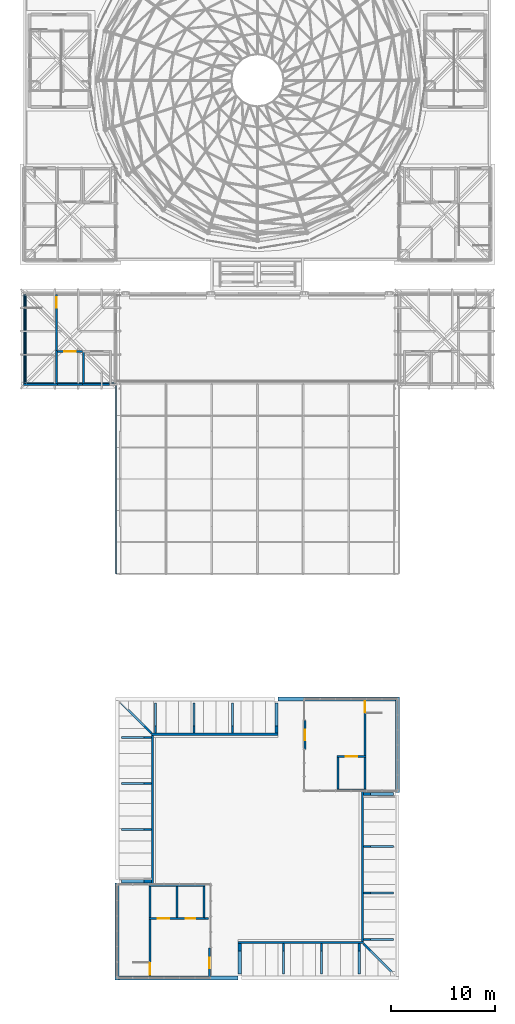
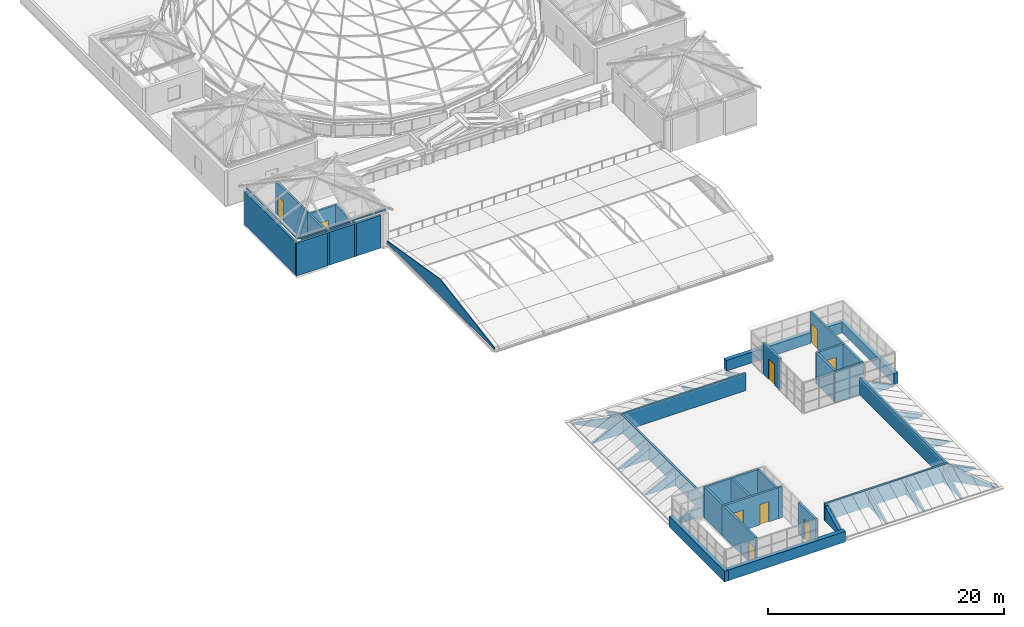
# One storey, part 47 of 69: 51 walls, 9 doors, 9 openings.
"""IFC4 building model written with IfcOpenShell, lengths in metres."""

from ifc_helpers import new_model, si_unit, direction, frame, frame_2d, origin, place, context, subcontext, project, spatial, polyline, rectangle, outline, extrude, material, layer, layer_set, type_object, element, fill, save


model = new_model("IFC4")

# Units and contexts
model_context = context("Model", 3, precision=1e-05, world=origin(), true_north=direction((0.0, 1.0)))
body_context = subcontext(model_context, "Body", "Model", "MODEL_VIEW")
ifc_project = project(units=[si_unit("LENGTHUNIT", "METRE"), si_unit("AREAUNIT", "SQUARE_METRE"), si_unit("VOLUMEUNIT", "CUBIC_METRE"), si_unit("PLANEANGLEUNIT", "RADIAN"), si_unit("MASSUNIT", "GRAM", prefix="KILO")], contexts=[model_context])

# Site, building, storey
site_placement = place(None, origin())
site = spatial("IfcSite", under=ifc_project, at=site_placement, CompositionType="ELEMENT")
building_placement = place(site_placement, origin())
building = spatial("IfcBuilding", under=site, at=building_placement, Name="Kallimachos Central Library", CompositionType="ELEMENT")
storey_placement = place(building_placement, frame((0.0, 0.0, 23.39990234375)))
storey = spatial("IfcBuildingStorey", under=building, at=storey_placement, Name="L05", CompositionType="ELEMENT", Elevation=23.39990234375)

# Walls
ifc_material_1 = material(Name="Concrete C30/37", Category="concrete")
ifc_layer_1 = layer(ifc_material_1, 0.14990234375)
ifc_layer_set_1 = layer_set([ifc_layer_1], Name="Concrete C30/37 eaves kerb 150")
wall_type_1 = type_object("IfcWallType", Name="Concrete C30/37 eaves kerb 150", PredefinedType="SOLIDWALL", material=ifc_layer_set_1)
for number, where, z_axis, x_axis, name in (
    (1, (65.699951171875, 75.199951171875, 3.650146484375), (0.0, 0.0, 1.0), (1.0, 0.0, 0.0), "Head-house roof V4-NW eaves kerb S"),
    (2, (65.699951171875, 75.199951171875, 3.650146484375), (0.0, 0.0, 1.0), (0.0, 1.0, 0.0), "Head-house roof V4-NW eaves kerb W"),
):
    element("IfcWall", number, at=place(storey_placement, frame(where, z_axis=z_axis, x_axis=x_axis)), inside=storey, type_object=wall_type_1, Name=name, PredefinedType="SOLIDWALL", context=body_context, shape_type="SweptSolid", body=[
        extrude(rectangle(XDim=8.60009765625, YDim=0.14990234375, at=frame_2d((4.300048828125, 0.0))), origin(), (0.0, 0.0, 1.0), 0.14990234375),
    ])

# Wall, opening, door
ifc_material_2 = material(Name="Concrete C30/37", Category="concrete")
ifc_layer_2 = layer(ifc_material_2, 0.199951171875)
ifc_layer_set_2 = layer_set([ifc_layer_2], Name="Core wall 200")
wall_type_2 = type_object("IfcWallType", Name="Core wall 200", PredefinedType="SOLIDWALL", material=ifc_layer_set_2)
wall_1_placement = place(storey_placement, frame((77.64990234375, 18.199951171875, 0.0), z_axis=(0.0, 0.0, 1.0), x_axis=(0.0, 1.0, 0.0)))
wall_1 = element("IfcWall", 3, at=wall_1_placement, inside=storey, type_object=wall_type_2, Name="V5-WAL-L05-038", PredefinedType="SOLIDWALL", context=body_context, shape_type="SweptSolid", body=[
    extrude(rectangle(XDim=5.60009765625, YDim=0.199951171875, at=frame_2d((2.800048828125, 0.0))), origin(), (0.0, 0.0, 1.0), 3.2001953125),
])
opening_1_placement = place(wall_1_placement, frame((0.10009765625, 0.0, 0.0)))
opening_1 = element("IfcOpeningElement", 4, at=opening_1_placement, cuts=wall_1, Name="Opening D144", PredefinedType="OPENING", context=body_context, shape_type="SweptSolid", body=[
    extrude(rectangle(XDim=1.10009765625, YDim=2.10009765625, at=frame_2d((0.550048828125, 1.050048828125))), frame((0.0, 0.10986328125, 0.0), z_axis=(0.0, -1.0, 0.0), x_axis=(1.0, 0.0, 0.0)), (0.0, 0.0, 1.0), 0.219970703125),
])
ifc_material_3 = material(Name="Steel fire door", Category="steel")
door_type_1 = type_object("IfcDoorType", Name="Fire door EI2 90 1100 x 2100", OperationType="NOTDEFINED", PredefinedType="DOOR", material=ifc_material_3)
door_1_placement = place(opening_1_placement, origin())
door_1 = element("IfcDoor", 5, at=door_1_placement, inside=storey, type_object=door_type_1, Name="ST13 stair door L05", OperationType="SINGLE_SWING_RIGHT", OverallHeight=2.10009765625, OverallWidth=1.10009765625, PredefinedType="DOOR", context=body_context, shape_type="SweptSolid", body=[
    extrude(rectangle(XDim=1.10009765625, YDim=2.10009765625, at=frame_2d((0.550048828125, 1.050048828125))), frame((0.0, 0.02490234375, 0.0), z_axis=(0.0, -1.0, 0.0), x_axis=(1.0, 0.0, 0.0)), (0.0, 0.0, 1.0), 0.050048828125),
])
fill(opening_1, door_1)

# Wall
wall_2_placement = place(storey_placement, frame((82.949951171875, 23.699951171875, 0.0), z_axis=(0.0, 0.0, 1.0), x_axis=(1.0, 0.0, 0.0)))
element("IfcWall", 6, at=wall_2_placement, inside=storey, type_object=wall_type_2, Name="V5-WAL-L05-039", PredefinedType="SOLIDWALL", context=body_context, shape_type="SweptSolid", body=[
    extrude(rectangle(XDim=0.35009765625, YDim=0.199951171875, at=frame_2d((0.175048828125, 0.0))), origin(), (0.0, 0.0, 1.0), 3.2001953125),
])

# Wall, opening, door
wall_3_placement = place(storey_placement, frame((98.35009765625, 39.199951171875, 0.0), z_axis=(0.0, 0.0, 1.0), x_axis=(0.0, 1.0, 0.0)))
wall_3 = element("IfcWall", 7, at=wall_3_placement, inside=storey, type_object=wall_type_2, Name="V5-WAL-L05-040", PredefinedType="SOLIDWALL", context=body_context, shape_type="SweptSolid", body=[
    extrude(rectangle(XDim=5.60009765625, YDim=0.199951171875, at=frame_2d((2.800048828125, 0.0))), origin(), (0.0, 0.0, 1.0), 3.2001953125),
])
opening_2_placement = place(wall_3_placement, frame((4.35009765625, 0.0, 0.0)))
opening_2 = element("IfcOpeningElement", 8, at=opening_2_placement, cuts=wall_3, Name="Opening D145", PredefinedType="OPENING", context=body_context, shape_type="SweptSolid", body=[
    extrude(rectangle(XDim=1.10009765625, YDim=2.10009765625, at=frame_2d((0.550048828125, 1.050048828125))), frame((0.0, 0.10986328125, 0.0), z_axis=(0.0, -1.0, 0.0), x_axis=(1.0, 0.0, 0.0)), (0.0, 0.0, 1.0), 0.219970703125),
])
door_2_placement = place(opening_2_placement, origin())
door_2 = element("IfcDoor", 9, at=door_2_placement, inside=storey, type_object=door_type_1, Name="ST14 stair door L05", OperationType="SINGLE_SWING_LEFT", OverallHeight=2.10009765625, OverallWidth=1.10009765625, PredefinedType="DOOR", context=body_context, shape_type="SweptSolid", body=[
    extrude(rectangle(XDim=1.10009765625, YDim=2.10009765625, at=frame_2d((0.550048828125, 1.050048828125))), frame((0.0, 0.02490234375, 0.0), z_axis=(0.0, -1.0, 0.0), x_axis=(1.0, 0.0, 0.0)), (0.0, 0.0, 1.0), 0.050048828125),
])
fill(opening_2, door_2)

# Wall
ifc_material_4 = material(Name="Laminated glass in aluminium frame", Category="aluminium")
ifc_layer_3 = layer(ifc_material_4, 0.10009765625)
ifc_layer_set_3 = layer_set([ifc_layer_3], Name="Glazed gable wall 100")
wall_type_3 = type_object("IfcWallType", Name="Glazed gable wall 100", PredefinedType="SOLIDWALL", material=ifc_layer_set_3)
wall_4_placement = place(storey_placement, frame((74.419921875, 56.919921875, 0.2900390625), z_axis=(0.0, 0.0, 1.0), x_axis=(0.0, 1.0, 0.0)))
element("IfcWall", 10, at=wall_4_placement, inside=storey, type_object=wall_type_3, Name="V4-WAL-L05-033", PredefinedType="SOLIDWALL", context=body_context, shape_type="SweptSolid", body=[
    extrude(outline(polyline([(0.0, 0.0), (18.22998046875, 0.0), (18.22998046875, 0.20263671875), (9.114990234375, 1.70263671875), (0.0, 0.20263671875), (0.0, 0.0)])), frame((0.0, 0.050048828125, 0.0), z_axis=(0.0, -1.0, 0.0), x_axis=(1.0, 0.0, 0.0)), (0.0, 0.0, 1.0), 0.10009765625),
])

# Wall, opening, door
ifc_material_5 = material(Name="Concrete C30/37", Category="concrete")
ifc_layer_4 = layer(ifc_material_5, 0.199951171875)
ifc_layer_set_4 = layer_set([ifc_layer_4], Name="Head house wall 200")
wall_type_4 = type_object("IfcWallType", Name="Head house wall 200", PredefinedType="SOLIDWALL", material=ifc_layer_set_4)
wall_5_placement = place(storey_placement, frame((83.39990234375, 18.013916015625, 0.0), z_axis=(0.0, 0.0, 1.0), x_axis=(0.0, 1.0, 0.0)))
wall_5 = element("IfcWall", 11, at=wall_5_placement, inside=storey, type_object=wall_type_4, Name="V5-WAL-L05-036", PredefinedType="SOLIDWALL", context=body_context, shape_type="SweptSolid", body=[
    extrude(rectangle(XDim=2.885986328125, YDim=0.199951171875, at=frame_2d((1.44287109375, 0.0))), origin(), (0.0, 0.0, 1.0), 3.2001953125),
])
opening_3_placement = place(wall_5_placement, frame((0.909912109375, 0.0, 0.0)))
opening_3 = element("IfcOpeningElement", 12, at=opening_3_placement, cuts=wall_5, Name="Opening D15", PredefinedType="OPENING", context=body_context, shape_type="SweptSolid", body=[
    extrude(rectangle(XDim=1.0, YDim=2.10009765625, at=frame_2d((0.5, 1.050048828125))), frame((0.0, 0.10986328125, 0.0), z_axis=(0.0, -1.0, 0.0), x_axis=(1.0, 0.0, 0.0)), (0.0, 0.0, 1.0), 0.219970703125),
])
ifc_material_6 = material(Name="Steel fire door", Category="steel")
door_type_2 = type_object("IfcDoorType", Name="Fire door EI2 90 1000 x 2100", OperationType="NOTDEFINED", PredefinedType="DOOR", material=ifc_material_6)
door_3_placement = place(opening_3_placement, origin())
door_3 = element("IfcDoor", 13, at=door_3_placement, inside=storey, type_object=door_type_2, Name="Roof access door SW", OperationType="SINGLE_SWING_RIGHT", OverallHeight=2.10009765625, OverallWidth=1.0, PredefinedType="DOOR", context=body_context, shape_type="SweptSolid", body=[
    extrude(rectangle(XDim=1.0, YDim=2.10009765625, at=frame_2d((0.5, 1.050048828125))), frame((0.0, 0.02490234375, 0.0), z_axis=(0.0, -1.0, 0.0), x_axis=(1.0, 0.0, 0.0)), (0.0, 0.0, 1.0), 0.050048828125),
])
fill(opening_3, door_3)

wall_6_placement = place(storey_placement, frame((92.60009765625, 40.0, 0.0), z_axis=(0.0, 0.0, 1.0), x_axis=(0.0, 1.0, 0.0)))
wall_6 = element("IfcWall", 14, at=wall_6_placement, inside=storey, type_object=wall_type_4, Name="V5-WAL-L05-037", PredefinedType="SOLIDWALL", context=body_context, shape_type="SweptSolid", body=[
    extrude(rectangle(XDim=2.800048828125, YDim=0.199951171875, at=frame_2d((1.39990234375, 0.0))), origin(), (0.0, 0.0, 1.0), 3.2001953125),
])
opening_4_placement = place(wall_6_placement, frame((0.8701171875, 0.0, 0.0)))
opening_4 = element("IfcOpeningElement", 15, at=opening_4_placement, cuts=wall_6, Name="Opening D16", PredefinedType="OPENING", context=body_context, shape_type="SweptSolid", body=[
    extrude(rectangle(XDim=1.0, YDim=2.10009765625, at=frame_2d((0.5, 1.050048828125))), frame((0.0, 0.10986328125, 0.0), z_axis=(0.0, -1.0, 0.0), x_axis=(1.0, 0.0, 0.0)), (0.0, 0.0, 1.0), 0.219970703125),
])
door_4_placement = place(opening_4_placement, frame((1.0, 0.0, 0.0), z_axis=(0.0, 0.0, 1.0), x_axis=(-1.0, 0.0, 0.0)))
door_4 = element("IfcDoor", 16, at=door_4_placement, inside=storey, type_object=door_type_2, Name="Roof access door NE", OperationType="SINGLE_SWING_LEFT", OverallHeight=2.10009765625, OverallWidth=1.0, PredefinedType="DOOR", context=body_context, shape_type="SweptSolid", body=[
    extrude(rectangle(XDim=1.0, YDim=2.10009765625, at=frame_2d((0.5, 1.050048828125))), frame((0.0, 0.02490234375, 0.0), z_axis=(0.0, -1.0, 0.0), x_axis=(1.0, 0.0, 0.0)), (0.0, 0.0, 1.0), 0.050048828125),
])
fill(opening_4, door_4)

# Wall, openings, doors
ifc_material_7 = material(Name="Concrete C30/37", Category="concrete")
ifc_layer_5 = layer(ifc_material_7, 0.199951171875)
ifc_layer_set_5 = layer_set([ifc_layer_5], Name="Lift shaft wall 200")
wall_type_5 = type_object("IfcWallType", Name="Lift shaft wall 200", PredefinedType="SOLIDWALL", material=ifc_layer_set_5)
wall_7_placement = place(storey_placement, frame((77.550048828125, 23.699951171875, 0.0), z_axis=(0.0, 0.0, 1.0), x_axis=(1.0, 0.0, 0.0)))
wall_7 = element("IfcWall", 17, at=wall_7_placement, inside=storey, type_object=wall_type_5, Name="V5-WAL-L05-001", PredefinedType="SOLIDWALL", context=body_context, shape_type="SweptSolid", body=[
    extrude(rectangle(XDim=5.39990234375, YDim=0.199951171875, at=frame_2d((2.699951171875, 0.0))), origin(), (0.0, 0.0, 1.0), 3.2001953125),
])
opening_5_placement = place(wall_7_placement, frame((0.85009765625, 0.0, 0.0)))
opening_5 = element("IfcOpeningElement", 18, at=opening_5_placement, cuts=wall_7, Name="Opening LD1100", PredefinedType="OPENING", context=body_context, shape_type="SweptSolid", body=[
    extrude(rectangle(XDim=1.10009765625, YDim=2.10009765625, at=frame_2d((0.550048828125, 1.050048828125))), frame((0.0, 0.10986328125, 0.0), z_axis=(0.0, -1.0, 0.0), x_axis=(1.0, 0.0, 0.0)), (0.0, 0.0, 1.0), 0.219970703125),
])
opening_6_placement = place(wall_7_placement, frame((3.550048828125, 0.0, 0.0)))
opening_6 = element("IfcOpeningElement", 19, at=opening_6_placement, cuts=wall_7, Name="Opening LD900", PredefinedType="OPENING", context=body_context, shape_type="SweptSolid", body=[
    extrude(rectangle(XDim=0.89990234375, YDim=2.10009765625, at=frame_2d((0.449951171875, 1.050048828125))), frame((0.0, 0.10986328125, 0.0), z_axis=(0.0, -1.0, 0.0), x_axis=(1.0, 0.0, 0.0)), (0.0, 0.0, 1.0), 0.219970703125),
])
ifc_material_8 = material(Name="Stainless steel", Category="steel")
door_type_3 = type_object("IfcDoorType", Name="Lift landing door 1100 x 2100", OperationType="SLIDING_TO_LEFT", PredefinedType="DOOR", material=ifc_material_8)
door_5_placement = place(opening_5_placement, origin())
door_5 = element("IfcDoor", 20, at=door_5_placement, inside=storey, type_object=door_type_3, Name="LF11 landing door L05", OperationType="SLIDING_TO_LEFT", OverallHeight=2.10009765625, OverallWidth=1.10009765625, PredefinedType="DOOR", context=body_context, shape_type="SweptSolid", body=[
    extrude(rectangle(XDim=1.10009765625, YDim=2.10009765625, at=frame_2d((0.550048828125, 1.050048828125))), frame((0.0, 0.02490234375, 0.0), z_axis=(0.0, -1.0, 0.0), x_axis=(1.0, 0.0, 0.0)), (0.0, 0.0, 1.0), 0.050048828125),
])
fill(opening_5, door_5)
ifc_material_9 = material(Name="Stainless steel", Category="steel")
door_type_4 = type_object("IfcDoorType", Name="Lift landing door 900 x 2100", OperationType="SLIDING_TO_LEFT", PredefinedType="DOOR", material=ifc_material_9)
door_6_placement = place(opening_6_placement, origin())
door_6 = element("IfcDoor", 21, at=door_6_placement, inside=storey, type_object=door_type_4, Name="LF12 landing door L05", OperationType="SLIDING_TO_LEFT", OverallHeight=2.10009765625, OverallWidth=0.89990234375, PredefinedType="DOOR", context=body_context, shape_type="SweptSolid", body=[
    extrude(rectangle(XDim=0.89990234375, YDim=2.10009765625, at=frame_2d((0.449951171875, 1.050048828125))), frame((0.0, 0.02490234375, 0.0), z_axis=(0.0, -1.0, 0.0), x_axis=(1.0, 0.0, 0.0)), (0.0, 0.0, 1.0), 0.050048828125),
])
fill(opening_6, door_6)

# Walls
wall_8_placement = place(storey_placement, frame((77.550048828125, 26.89990234375, 0.0), z_axis=(0.0, 0.0, 1.0), x_axis=(1.0, 0.0, 0.0)))
element("IfcWall", 22, at=wall_8_placement, inside=storey, type_object=wall_type_5, Name="V5-WAL-L05-002", PredefinedType="SOLIDWALL", context=body_context, shape_type="SweptSolid", body=[
    extrude(rectangle(XDim=5.39990234375, YDim=0.199951171875, at=frame_2d((2.699951171875, 0.0))), origin(), (0.0, 0.0, 1.0), 3.2001953125),
])
for number, where, z_axis, x_axis, name in (
    (23, (77.64990234375, 23.800048828125, 0.0), (0.0, 0.0, 1.0), (0.0, 1.0, 0.0), "V5-WAL-L05-003"),
    (24, (80.25, 23.800048828125, 0.0), (0.0, 0.0, 1.0), (0.0, 1.0, 0.0), "V5-WAL-L05-004"),
    (25, (82.85009765625, 23.800048828125, 0.0), (0.0, 0.0, 1.0), (0.0, 1.0, 0.0), "V5-WAL-L05-005"),
):
    element("IfcWall", number, at=place(storey_placement, frame(where, z_axis=z_axis, x_axis=x_axis)), inside=storey, type_object=wall_type_5, Name=name, PredefinedType="SOLIDWALL", context=body_context, shape_type="SweptSolid", body=[
        extrude(rectangle(XDim=3.0, YDim=0.199951171875, at=frame_2d((1.5, 0.0))), origin(), (0.0, 0.0, 1.0), 3.2001953125),
    ])
wall_9_placement = place(storey_placement, frame((95.64990234375, 36.10009765625, 0.0), z_axis=(0.0, 0.0, 1.0), x_axis=(1.0, 0.0, 0.0)))
element("IfcWall", 26, at=wall_9_placement, inside=storey, type_object=wall_type_5, Name="V5-WAL-L05-006", PredefinedType="SOLIDWALL", context=body_context, shape_type="SweptSolid", body=[
    extrude(rectangle(XDim=2.800048828125, YDim=0.199951171875, at=frame_2d((1.39990234375, 0.0))), origin(), (0.0, 0.0, 1.0), 3.2001953125),
])

# Wall, opening, door
wall_10_placement = place(storey_placement, frame((95.64990234375, 39.300048828125, 0.0), z_axis=(0.0, 0.0, 1.0), x_axis=(1.0, 0.0, 0.0)))
wall_10 = element("IfcWall", 27, at=wall_10_placement, inside=storey, type_object=wall_type_5, Name="V5-WAL-L05-007", PredefinedType="SOLIDWALL", context=body_context, shape_type="SweptSolid", body=[
    extrude(rectangle(XDim=2.800048828125, YDim=0.199951171875, at=frame_2d((1.39990234375, 0.0))), origin(), (0.0, 0.0, 1.0), 3.2001953125),
])
opening_7_placement = place(wall_10_placement, frame((0.85009765625, 0.0, 0.0)))
opening_7 = element("IfcOpeningElement", 28, at=opening_7_placement, cuts=wall_10, Name="Opening LD1100", PredefinedType="OPENING", context=body_context, shape_type="SweptSolid", body=[
    extrude(rectangle(XDim=1.10009765625, YDim=2.10009765625, at=frame_2d((0.550048828125, 1.050048828125))), frame((0.0, 0.10986328125, 0.0), z_axis=(0.0, -1.0, 0.0), x_axis=(1.0, 0.0, 0.0)), (0.0, 0.0, 1.0), 0.219970703125),
])
door_7_placement = place(opening_7_placement, origin())
door_7 = element("IfcDoor", 29, at=door_7_placement, inside=storey, type_object=door_type_3, Name="LF13 landing door L05", OperationType="SLIDING_TO_LEFT", OverallHeight=2.10009765625, OverallWidth=1.10009765625, PredefinedType="DOOR", context=body_context, shape_type="SweptSolid", body=[
    extrude(rectangle(XDim=1.10009765625, YDim=2.10009765625, at=frame_2d((0.550048828125, 1.050048828125))), frame((0.0, 0.02490234375, 0.0), z_axis=(0.0, -1.0, 0.0), x_axis=(1.0, 0.0, 0.0)), (0.0, 0.0, 1.0), 0.050048828125),
])
fill(opening_7, door_7)

# Walls
for number, where, z_axis, x_axis, name in (
    (30, (95.75, 36.199951171875, 0.0), (0.0, 0.0, 1.0), (0.0, 1.0, 0.0), "V5-WAL-L05-008"),
    (31, (98.35009765625, 36.199951171875, 0.0), (0.0, 0.0, 1.0), (0.0, 1.0, 0.0), "V5-WAL-L05-009"),
):
    element("IfcWall", number, at=place(storey_placement, frame(where, z_axis=z_axis, x_axis=x_axis)), inside=storey, type_object=wall_type_5, Name=name, PredefinedType="SOLIDWALL", context=body_context, shape_type="SweptSolid", body=[
        extrude(rectangle(XDim=3.0, YDim=0.199951171875, at=frame_2d((1.5, 0.0))), origin(), (0.0, 0.0, 1.0), 3.2001953125),
    ])

# Wall, opening, door
wall_11_placement = place(storey_placement, frame((68.75, 78.300048828125, 0.0), z_axis=(0.0, 0.0, 1.0), x_axis=(1.0, 0.0, 0.0)))
wall_11 = element("IfcWall", 32, at=wall_11_placement, inside=storey, type_object=wall_type_5, Name="V4-WAL-L05-001", PredefinedType="SOLIDWALL", context=body_context, shape_type="SweptSolid", body=[
    extrude(rectangle(XDim=2.39990234375, YDim=0.199951171875, at=frame_2d((1.199951171875, 0.0))), origin(), (0.0, 0.0, 1.0), 3.400146484375),
])
opening_8_placement = place(wall_11_placement, frame((0.64990234375, 0.0, 0.0)))
opening_8 = element("IfcOpeningElement", 33, at=opening_8_placement, cuts=wall_11, Name="Opening LD1100", PredefinedType="OPENING", context=body_context, shape_type="SweptSolid", body=[
    extrude(rectangle(XDim=1.10009765625, YDim=2.10009765625, at=frame_2d((0.550048828125, 1.050048828125))), frame((0.0, 0.10986328125, 0.0), z_axis=(0.0, -1.0, 0.0), x_axis=(1.0, 0.0, 0.0)), (0.0, 0.0, 1.0), 0.219970703125),
])
door_8_placement = place(opening_8_placement, origin())
door_8 = element("IfcDoor", 34, at=door_8_placement, inside=storey, type_object=door_type_3, Name="LF7 landing door L05", OperationType="SLIDING_TO_LEFT", OverallHeight=2.10009765625, OverallWidth=1.10009765625, PredefinedType="DOOR", context=body_context, shape_type="SweptSolid", body=[
    extrude(rectangle(XDim=1.10009765625, YDim=2.10009765625, at=frame_2d((0.550048828125, 1.050048828125))), frame((0.0, 0.02490234375, 0.0), z_axis=(0.0, -1.0, 0.0), x_axis=(1.0, 0.0, 0.0)), (0.0, 0.0, 1.0), 0.050048828125),
])
fill(opening_8, door_8)

# Walls
wall_12_placement = place(storey_placement, frame((68.75, 75.10009765625, 0.0), z_axis=(0.0, 0.0, 1.0), x_axis=(1.0, 0.0, 0.0)))
element("IfcWall", 35, at=wall_12_placement, inside=storey, type_object=wall_type_5, Name="V4-WAL-L05-002", PredefinedType="SOLIDWALL", context=body_context, shape_type="SweptSolid", body=[
    extrude(rectangle(XDim=2.39990234375, YDim=0.199951171875, at=frame_2d((1.199951171875, 0.0))), origin(), (0.0, 0.0, 1.0), 3.400146484375),
])
for number, where, z_axis, x_axis, name in (
    (36, (68.64990234375, 75.0, 0.0), (0.0, 0.0, 1.0), (0.0, 1.0, 0.0), "V4-WAL-L05-003"),
    (37, (71.25, 75.0, 0.0), (0.0, 0.0, 1.0), (0.0, 1.0, 0.0), "V4-WAL-L05-004"),
):
    element("IfcWall", number, at=place(storey_placement, frame(where, z_axis=z_axis, x_axis=x_axis)), inside=storey, type_object=wall_type_5, Name=name, PredefinedType="SOLIDWALL", context=body_context, shape_type="SweptSolid", body=[
        extrude(rectangle(XDim=3.39990234375, YDim=0.199951171875, at=frame_2d((1.699951171875, 0.0))), origin(), (0.0, 0.0, 1.0), 3.400146484375),
    ])
wall_13_placement = place(storey_placement, frame((71.14990234375, 75.10009765625, 0.0), z_axis=(0.0, 0.0, 1.0), x_axis=(1.0, 0.0, 0.0)))
element("IfcWall", 38, at=wall_13_placement, inside=storey, type_object=wall_type_5, Name="V4-WAL-L05-006", PredefinedType="SOLIDWALL", context=body_context, shape_type="SweptSolid", body=[
    extrude(rectangle(XDim=2.60009765625, YDim=0.199951171875, at=frame_2d((1.300048828125, 0.0))), origin(), (0.0, 0.0, 1.0), 3.400146484375),
])
ifc_material_10 = material(Name="Concrete C30/37", Category="concrete")
ifc_layer_6 = layer(ifc_material_10, 0.300048828125)
ifc_layer_set_6 = layer_set([ifc_layer_6], Name="Roof cheek wall 300")
wall_type_6 = type_object("IfcWallType", Name="Roof cheek wall 300", PredefinedType="SOLIDWALL", material=ifc_layer_set_6)
for number, where, z_axis, x_axis, name in (
    (39, (86.300048828125, 18.39990234375, 0.0), (0.0, 0.0, 1.0), (0.0, 1.0, 0.0), "Roof cheek South"),
    (40, (101.10009765625, 35.699951171875, 0.0), (0.0, 0.0, 1.0), (-1.0, 0.0, 0.0), "Roof cheek East"),
):
    element("IfcWall", number, at=place(storey_placement, frame(where, z_axis=z_axis, x_axis=x_axis)), inside=storey, type_object=wall_type_6, Name=name, PredefinedType="SOLIDWALL", context=body_context, shape_type="SweptSolid", body=[
        extrude(outline(polyline([(0.0, 0.0), (2.900146484375, 0.0), (2.89990234375, 1.550048828125), (0.0, 0.10009765625), (0.0, 0.0)])), frame((0.0, 0.14990234375, 0.0), z_axis=(0.0, -1.0, 0.0), x_axis=(1.0, 0.0, 0.0)), (0.0, 0.0, 1.0), 0.300048828125),
    ])
wall_14_placement = place(storey_placement, frame((89.85009765625, 44.449951171875, 0.0), z_axis=(0.0, 0.0, 1.0), x_axis=(0.0, -1.0, 0.0)))
element("IfcWall", 41, at=wall_14_placement, inside=storey, type_object=wall_type_6, Name="Roof cheek North", PredefinedType="SOLIDWALL", context=body_context, shape_type="SweptSolid", body=[
    extrude(outline(polyline([(0.0, 0.0), (2.89990234375, 0.0), (2.89990234375, 1.550048828125), (0.0, 0.10009765625), (0.0, 0.0)])), frame((0.0, 0.14990234375, 0.0), z_axis=(0.0, -1.0, 0.0), x_axis=(1.0, 0.0, 0.0)), (0.0, 0.0, 1.0), 0.300048828125),
])
wall_15_placement = place(storey_placement, frame((74.89990234375, 27.300048828125, 0.0), z_axis=(0.0, 0.0, 1.0), x_axis=(1.0, 0.0, 0.0)))
element("IfcWall", 42, at=wall_15_placement, inside=storey, type_object=wall_type_6, Name="Roof cheek West", PredefinedType="SOLIDWALL", context=body_context, shape_type="SweptSolid", body=[
    extrude(outline(polyline([(0.0, 0.0), (2.900146484375, 0.0), (2.89990234375, 1.550048828125), (0.0, 0.10009765625), (0.0, 0.0)])), frame((0.0, 0.14990234375, 0.0), z_axis=(0.0, -1.0, 0.0), x_axis=(1.0, 0.0, 0.0)), (0.0, 0.0, 1.0), 0.300048828125),
])
ifc_material_11 = material(Name="Concrete C30/37", Category="concrete")
ifc_layer_7 = layer(ifc_material_11, 0.199951171875)
ifc_layer_set_7 = layer_set([ifc_layer_7], Name="Roof rib wall 200")
wall_type_7 = type_object("IfcWallType", Name="Roof rib wall 200", PredefinedType="SOLIDWALL", material=ifc_layer_set_7)
for number, where, z_axis, x_axis, name in (
    (43, (90.5, 18.39990234375, 0.0), (0.0, 0.0, 1.0), (0.0, 1.0, 0.0), "Roof rib South"),
    (44, (94.14990234375, 18.39990234375, 0.0), (0.0, 0.0, 1.0), (0.0, 1.0, 0.0), "Roof rib South"),
    (45, (97.800048828125, 18.39990234375, 0.0), (0.0, 0.0, 1.0), (0.0, 1.0, 0.0), "Roof rib South"),
    (46, (101.10009765625, 21.699951171875, 0.0), (0.0, 0.0, 1.0), (-1.0, 0.0, 0.0), "Roof rib East"),
    (47, (101.10009765625, 26.18310546875, 0.0), (0.0, 0.0, 1.0), (-1.0, 0.0, 0.0), "Roof rib East"),
    (48, (101.10009765625, 30.6669921875, 0.0), (0.0, 0.0, 1.0), (-1.0, 0.0, 0.0), "Roof rib East"),
):
    element("IfcWall", number, at=place(storey_placement, frame(where, z_axis=z_axis, x_axis=x_axis)), inside=storey, type_object=wall_type_7, Name=name, PredefinedType="SOLIDWALL", context=body_context, shape_type="SweptSolid", body=[
        extrude(outline(polyline([(0.0, 0.0), (2.900146484375, 0.0), (2.89990234375, 1.550048828125), (0.0, 0.10009765625), (0.0, 0.0)])), frame((0.0, 0.10009765625, 0.0), z_axis=(0.0, -1.0, 0.0), x_axis=(1.0, 0.0, 0.0)), (0.0, 0.0, 1.0), 0.199951171875),
    ])
for number, where, z_axis, x_axis, name in (
    (49, (78.199951171875, 44.449951171875, 0.0), (0.0, 0.0, 1.0), (0.0, -1.0, 0.0), "Roof rib North"),
    (50, (81.89990234375, 44.449951171875, 0.0), (0.0, 0.0, 1.0), (0.0, -1.0, 0.0), "Roof rib North"),
    (51, (85.60009765625, 44.449951171875, 0.0), (0.0, 0.0, 1.0), (0.0, -1.0, 0.0), "Roof rib North"),
):
    element("IfcWall", number, at=place(storey_placement, frame(where, z_axis=z_axis, x_axis=x_axis)), inside=storey, type_object=wall_type_7, Name=name, PredefinedType="SOLIDWALL", context=body_context, shape_type="SweptSolid", body=[
        extrude(outline(polyline([(0.0, 0.0), (2.89990234375, 0.0), (2.89990234375, 1.550048828125), (0.0, 0.10009765625), (0.0, 0.0)])), frame((0.0, 0.10009765625, 0.0), z_axis=(0.0, -1.0, 0.0), x_axis=(1.0, 0.0, 0.0)), (0.0, 0.0, 1.0), 0.199951171875),
    ])
for number, where, z_axis, x_axis, name in (
    (52, (74.89990234375, 32.282958984375, 0.0), (0.0, 0.0, 1.0), (1.0, 0.0, 0.0), "Roof rib West"),
    (53, (74.89990234375, 36.717041015625, 0.0), (0.0, 0.0, 1.0), (1.0, 0.0, 0.0), "Roof rib West"),
    (54, (74.89990234375, 41.14990234375, 0.0), (0.0, 0.0, 1.0), (1.0, 0.0, 0.0), "Roof rib West"),
):
    element("IfcWall", number, at=place(storey_placement, frame(where, z_axis=z_axis, x_axis=x_axis)), inside=storey, type_object=wall_type_7, Name=name, PredefinedType="SOLIDWALL", context=body_context, shape_type="SweptSolid", body=[
        extrude(outline(polyline([(0.0, 0.0), (2.900146484375, 0.0), (2.89990234375, 1.550048828125), (0.0, 0.10009765625), (0.0, 0.0)])), frame((0.0, 0.10009765625, 0.0), z_axis=(0.0, -1.0, 0.0), x_axis=(1.0, 0.0, 0.0)), (0.0, 0.0, 1.0), 0.199951171875),
    ])
for number, where, z_axis, x_axis, name in (
    (55, (101.10009765625, 18.39990234375, 0.0), (0.0, 0.0, 1.0), (-0.707106781187, 0.707106781187, 0.0), "Roof hip rib South"),
    (56, (74.89990234375, 44.449951171875, 0.0), (0.0, 0.0, 1.0), (0.707136544705, -0.707077016416, 0.0), "Roof hip rib North"),
):
    element("IfcWall", number, at=place(storey_placement, frame(where, z_axis=z_axis, x_axis=x_axis)), inside=storey, type_object=wall_type_7, Name=name, PredefinedType="SOLIDWALL", context=body_context, shape_type="SweptSolid", body=[
        extrude(outline(polyline([(0.0, 0.0), (4.101318359375, 0.0), (4.101318359375, 1.550048828125), (0.0, 0.10009765625), (0.0, 0.0)])), frame((0.0, 0.10009765625, 0.0), z_axis=(0.0, -1.0, 0.0), x_axis=(1.0, 0.0, 0.0)), (0.0, 0.0, 1.0), 0.199951171875),
    ])
ifc_material_12 = material(Name="Concrete C35/45", Category="concrete")
ifc_layer_8 = layer(ifc_material_12, 0.199951171875)
ifc_layer_set_8 = layer_set([ifc_layer_8], Name="Shear core wall 200")
wall_type_8 = type_object("IfcWallType", Name="Shear core wall 200", PredefinedType="SHEAR", material=ifc_layer_set_8)
wall_16_placement = place(storey_placement, frame((65.5, 75.10009765625, 0.0), z_axis=(0.0, 0.0, 1.0), x_axis=(1.0, 0.0, 0.0)))
element("IfcWall", 57, at=wall_16_placement, inside=storey, type_object=wall_type_8, Name="Head-house wall V4-NW S", PredefinedType="SHEAR", context=body_context, shape_type="SweptSolid", body=[
    extrude(rectangle(XDim=3.25, YDim=0.199951171875, at=frame_2d((1.625, 0.0))), origin(), (0.0, 0.0, 1.0), 3.400146484375),
])
wall_17_placement = place(storey_placement, frame((65.60009765625, 75.199951171875, 0.0), z_axis=(0.0, 0.0, 1.0), x_axis=(0.0, 1.0, 0.0)))
element("IfcWall", 58, at=wall_17_placement, inside=storey, type_object=wall_type_8, Name="Head-house wall V4-NW W", PredefinedType="SHEAR", context=body_context, shape_type="SweptSolid", body=[
    extrude(rectangle(XDim=8.60009765625, YDim=0.199951171875, at=frame_2d((4.300048828125, 0.0))), origin(), (0.0, 0.0, 1.0), 3.400146484375),
])

# Wall, opening, door
ifc_material_13 = material(Name="Concrete C35/45", Category="concrete")
ifc_layer_9 = layer(ifc_material_13, 0.199951171875)
ifc_layer_set_9 = layer_set([ifc_layer_9], Name="Shear core wall 200, internal")
wall_type_9 = type_object("IfcWallType", Name="Shear core wall 200, internal", PredefinedType="SHEAR", material=ifc_layer_set_9)
wall_18_placement = place(storey_placement, frame((68.64990234375, 78.39990234375, 0.0), z_axis=(0.0, 0.0, 1.0), x_axis=(0.0, 1.0, 0.0)))
wall_18 = element("IfcWall", 59, at=wall_18_placement, inside=storey, type_object=wall_type_9, Name="L05 core wall V4-NW M", PredefinedType="SHEAR", context=body_context, shape_type="SweptSolid", body=[
    extrude(rectangle(XDim=5.400146484375, YDim=0.199951171875, at=frame_2d((2.7001953125, 0.0))), origin(), (0.0, 0.0, 1.0), 3.400146484375),
])
opening_9_placement = place(wall_18_placement, frame((4.10009765625, 0.0, 0.0)))
opening_9 = element("IfcOpeningElement", 60, at=opening_9_placement, cuts=wall_18, Name="Opening D156", PredefinedType="OPENING", context=body_context, shape_type="SweptSolid", body=[
    extrude(rectangle(XDim=1.0, YDim=2.10009765625, at=frame_2d((0.5, 1.050048828125))), frame((0.0, 0.10986328125, 0.0), z_axis=(0.0, -1.0, 0.0), x_axis=(1.0, 0.0, 0.0)), (0.0, 0.0, 1.0), 0.219970703125),
])
ifc_material_14 = material(Name="Timber", Category="wood")
door_type_5 = type_object("IfcDoorType", Name="Single leaf door 1000 x 2100, EI2 90", OperationType="NOTDEFINED", PredefinedType="DOOR", material=ifc_material_14)
door_9_placement = place(opening_9_placement, origin())
door_9 = element("IfcDoor", 61, at=door_9_placement, inside=storey, type_object=door_type_5, Name="L05 core door V4-NW", OperationType="SINGLE_SWING_LEFT", OverallHeight=2.10009765625, OverallWidth=1.0, PredefinedType="DOOR", context=body_context, shape_type="SweptSolid", body=[
    extrude(rectangle(XDim=1.0, YDim=2.10009765625, at=frame_2d((0.5, 1.050048828125))), frame((0.0, 0.02490234375, 0.0), z_axis=(0.0, -1.0, 0.0), x_axis=(1.0, 0.0, 0.0)), (0.0, 0.0, 1.0), 0.050048828125),
])
fill(opening_9, door_9)

# Walls
ifc_material_15 = material(Name="Pentelic marble masonry", Category="masonry")
ifc_layer_10 = layer(ifc_material_15, 0.39990234375)
ifc_layer_set_10 = layer_set([ifc_layer_10], Name="Stone parapet wall 400")
wall_type_10 = type_object("IfcWallType", Name="Stone parapet wall 400", PredefinedType="SOLIDWALL", material=ifc_layer_set_10)
wall_19_placement = place(storey_placement, frame((74.699951171875, 18.0, 0.0), z_axis=(0.0, 0.0, 1.0), x_axis=(1.0, 0.0, 0.0)))
element("IfcWall", 62, at=wall_19_placement, inside=storey, type_object=wall_type_10, Name="V5-WAL-L05-010", PredefinedType="SOLIDWALL", context=body_context, shape_type="SweptSolid", body=[
    extrude(rectangle(XDim=11.449951171875, YDim=0.39990234375, at=frame_2d((5.72509765625, 0.0))), origin(), (0.0, 0.0, 1.0), 1.10009765625),
])
wall_20_placement = place(storey_placement, frame((74.5, 17.800048828125, 0.0), z_axis=(0.0, 0.0, 1.0), x_axis=(0.0, 1.0, 0.0)))
element("IfcWall", 63, at=wall_20_placement, inside=storey, type_object=wall_type_10, Name="V5-WAL-L05-011", PredefinedType="SOLIDWALL", context=body_context, shape_type="SweptSolid", body=[
    extrude(rectangle(XDim=9.349853515625, YDim=0.39990234375, at=frame_2d((4.6748046875, 0.0))), origin(), (0.0, 0.0, 1.0), 1.10009765625),
])
wall_21_placement = place(storey_placement, frame((90.0, 44.85009765625, 0.0), z_axis=(0.0, 0.0, 1.0), x_axis=(1.0, 0.0, 0.0)))
element("IfcWall", 64, at=wall_21_placement, inside=storey, type_object=wall_type_10, Name="V5-WAL-L05-012", PredefinedType="SOLIDWALL", context=body_context, shape_type="SweptSolid", body=[
    extrude(rectangle(XDim=11.300048828125, YDim=0.39990234375, at=frame_2d((5.64990234375, 0.0))), origin(), (0.0, 0.0, 1.0), 1.10009765625),
])
wall_22_placement = place(storey_placement, frame((101.5, 35.85009765625, 0.0), z_axis=(0.0, 0.0, 1.0), x_axis=(0.0, 1.0, 0.0)))
element("IfcWall", 65, at=wall_22_placement, inside=storey, type_object=wall_type_10, Name="V5-WAL-L05-013", PredefinedType="SOLIDWALL", context=body_context, shape_type="SweptSolid", body=[
    extrude(rectangle(XDim=9.199951171875, YDim=0.39990234375, at=frame_2d((4.60009765625, 0.0))), origin(), (0.0, 0.0, 1.0), 1.10009765625),
])
ifc_material_16 = material(Name="Pentelic marble masonry", Category="masonry")
ifc_layer_11 = layer(ifc_material_16, 0.199951171875)
ifc_layer_set_11 = layer_set([ifc_layer_11], Name="Stone roof fascia 200")
wall_type_11 = type_object("IfcWallType", Name="Stone roof fascia 200", PredefinedType="SOLIDWALL", material=ifc_layer_set_11)
wall_23_placement = place(storey_placement, frame((86.14990234375, 21.39990234375, 0.0), z_axis=(0.0, 0.0, 1.0), x_axis=(1.0, 0.0, 0.0)))
element("IfcWall", 66, at=wall_23_placement, inside=storey, type_object=wall_type_11, Name="V5-WAL-L05-018", PredefinedType="SOLIDWALL", context=body_context, shape_type="SweptSolid", body=[
    extrude(rectangle(XDim=12.050048828125, YDim=0.199951171875, at=frame_2d((6.02490234375, 0.0))), origin(), (0.0, 0.0, 1.0), 1.800048828125),
])
wall_24_placement = place(storey_placement, frame((98.10009765625, 21.5, 0.0), z_axis=(0.0, 0.0, 1.0), x_axis=(0.0, 1.0, 0.0)))
element("IfcWall", 67, at=wall_24_placement, inside=storey, type_object=wall_type_11, Name="V5-WAL-L05-023", PredefinedType="SOLIDWALL", context=body_context, shape_type="SweptSolid", body=[
    extrude(rectangle(XDim=14.486083984375, YDim=0.199951171875, at=frame_2d((7.2431640625, 0.0))), origin(), (0.0, 0.0, 1.0), 1.800048828125),
])
wall_25_placement = place(storey_placement, frame((77.800048828125, 41.449951171875, 0.0), z_axis=(0.0, 0.0, 1.0), x_axis=(1.0, 0.0, 0.0)))
element("IfcWall", 68, at=wall_25_placement, inside=storey, type_object=wall_type_11, Name="V5-WAL-L05-028", PredefinedType="SOLIDWALL", context=body_context, shape_type="SweptSolid", body=[
    extrude(rectangle(XDim=12.199951171875, YDim=0.199951171875, at=frame_2d((6.10009765625, 0.0))), origin(), (0.0, 0.0, 1.0), 1.800048828125),
])
wall_26_placement = place(storey_placement, frame((77.89990234375, 27.013916015625, 0.0), z_axis=(0.0, 0.0, 1.0), x_axis=(0.0, 1.0, 0.0)))
element("IfcWall", 69, at=wall_26_placement, inside=storey, type_object=wall_type_11, Name="V5-WAL-L05-033", PredefinedType="SOLIDWALL", context=body_context, shape_type="SweptSolid", body=[
    extrude(rectangle(XDim=14.336181640625, YDim=0.199951171875, at=frame_2d((7.16796875, 0.0))), origin(), (0.0, 0.0, 1.0), 1.800048828125),
])

save(model, "model.ifc")
